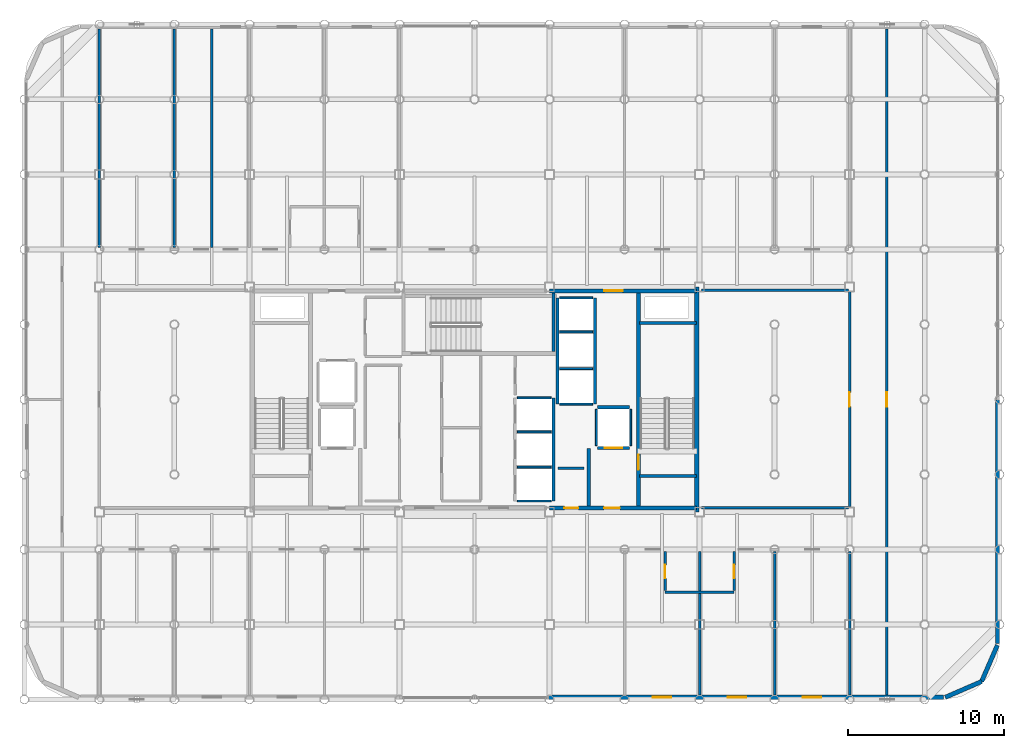
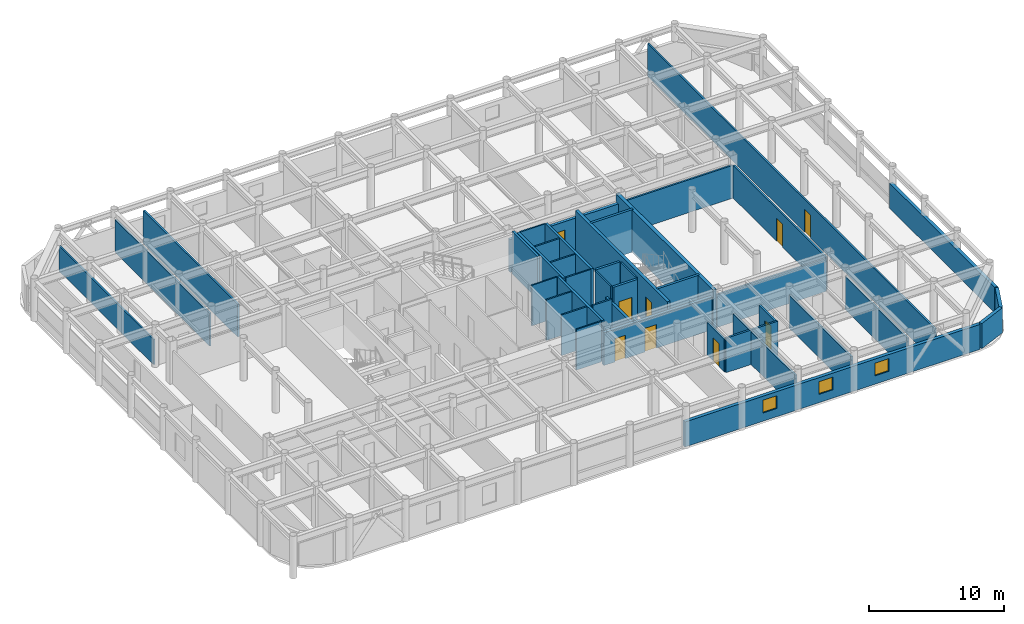
# One storey, part 20 of 22: 41 walls, 9 doors, 3 windows, 12 openings.
"""IFC4 building model written with IfcOpenShell, lengths in metres."""

from ifc_helpers import new_model, si_unit, direction, frame, frame_2d, origin, place, context, subcontext, project, spatial, rectangle, extrude, material, layer, layer_set, type_object, element, fill, save


model = new_model("IFC4")

# Units and contexts
model_context = context("Model", 3, precision=1e-05, world=origin(), true_north=direction((0.0, 1.0)))
body_context = subcontext(model_context, "Body", "Model", "MODEL_VIEW")
ifc_project = project(units=[si_unit("LENGTHUNIT", "METRE"), si_unit("AREAUNIT", "SQUARE_METRE"), si_unit("VOLUMEUNIT", "CUBIC_METRE"), si_unit("PLANEANGLEUNIT", "RADIAN"), si_unit("MASSUNIT", "GRAM", prefix="KILO")], contexts=[model_context])

# Site, building, storey
site_placement = place(None, origin())
site = spatial("IfcSite", under=ifc_project, at=site_placement, CompositionType="ELEMENT")
building_placement = place(site_placement, origin())
building = spatial("IfcBuilding", under=site, at=building_placement, Name="Kallvorn Hotel Tower", CompositionType="ELEMENT")
storey_placement = place(building_placement, frame((0.0, 0.0, 226.14990234375)))
storey = spatial("IfcBuildingStorey", under=building, at=storey_placement, Name="L56", CompositionType="ELEMENT", Elevation=226.14990234375)

# Walls
ifc_material_1 = material(Name="Concrete C50/60", Category="concrete")
ifc_layer_1 = layer(ifc_material_1, 0.300048828125)
ifc_layer_set_1 = layer_set([ifc_layer_1], Name="WL_CORE_300")
wall_type_1 = type_object("IfcWallType", Name="WL_CORE_300", PredefinedType="SHEAR", material=ifc_layer_set_1)
wall_1_placement = place(storey_placement, frame((14.215087890625, -7.199951171875, -0.179931640625), z_axis=(0.0, 0.0, 1.0), x_axis=(0.0, 1.0, 0.0)))
element("IfcWall", 1, at=wall_1_placement, inside=storey, type_object=wall_type_1, Name="L56 Core East Shear Wall", PredefinedType="SHEAR", context=body_context, shape_type="SweptSolid", body=[
    extrude(rectangle(XDim=14.39990234375, YDim=0.300048828125, at=frame_2d((7.199951171875, 0.0))), origin(), (0.0, 0.0, 1.0), 3.85009765625),
])
ifc_material_2 = material(Name="Fire-rated double-layer acoustic gypsum drywall EI 60")
ifc_layer_2 = layer(ifc_material_2, 0.159912109375)
ifc_layer_set_2 = layer_set([ifc_layer_2], Name="WL_DEMISE_160")
wall_type_2 = type_object("IfcWallType", Name="WL_DEMISE_160", PredefinedType="PARTITIONING", material=ifc_layer_set_2)
wall_2_placement = place(storey_placement, frame((12.18994140625, -12.320068359375, 0.0), z_axis=(0.0, 0.0, 1.0), x_axis=(1.0, 0.0, 0.0)))
element("IfcWall", 2, at=wall_2_placement, inside=storey, type_object=wall_type_2, Name="L56 Suite 5601 Superior Twin Room Partition", PredefinedType="PARTITIONING", context=body_context, shape_type="SweptSolid", body=[
    extrude(rectangle(XDim=4.420166015625, YDim=0.159912109375, at=frame_2d((2.2099609375, 0.0))), origin(), (0.0, 0.0, 1.0), 3.1201171875),
])

# Wall, opening, door
wall_3_placement = place(storey_placement, frame((12.18994140625, -12.235107421875, 0.0), z_axis=(0.0, 0.0, 1.0), x_axis=(0.0, 1.0, 0.0)))
wall_3 = element("IfcWall", 3, at=wall_3_placement, inside=storey, type_object=wall_type_2, Name="L56 Suite 5601 Superior Twin Room Partition", PredefinedType="PARTITIONING", context=body_context, shape_type="SweptSolid", body=[
    extrude(rectangle(XDim=2.51513671875, YDim=0.159912109375, at=frame_2d((1.257568359375, 0.0))), origin(), (0.0, 0.0, 1.0), 2.97021484375),
])
opening_1_placement = place(wall_3_placement, frame((0.784912109375, 0.0, 0.0)))
opening_1 = element("IfcOpeningElement", 4, at=opening_1_placement, cuts=wall_3, Name="Opening BD-I", PredefinedType="OPENING", context=body_context, shape_type="SweptSolid", body=[
    extrude(rectangle(XDim=0.860107421875, YDim=2.10009765625, at=frame_2d((0.43017578125, 1.050048828125))), frame((0.0, 0.094970703125, 0.0), z_axis=(0.0, -1.0, 0.0), x_axis=(1.0, 0.0, 0.0)), (0.0, 0.0, 1.0), 0.18994140625),
])
ifc_material_3 = material(Name="Solid-core walnut veneer fire-rated timber door leaf", Category="wood")
door_type_1 = type_object("IfcDoorType", Name="DR_BATH_860x2100", OperationType="NOTDEFINED", PredefinedType="DOOR", material=ifc_material_3)
door_1_placement = place(opening_1_placement, origin())
door_1 = element("IfcDoor", 5, at=door_1_placement, inside=storey, type_object=door_type_1, Name="L56 Suite 5601 En-Suite Bathroom Door", OperationType="SINGLE_SWING_RIGHT", OverallHeight=2.10009765625, OverallWidth=0.860107421875, PredefinedType="DOOR", context=body_context, shape_type="SweptSolid", body=[
    extrude(rectangle(XDim=0.860107421875, YDim=2.10009765625, at=frame_2d((0.43017578125, 1.050048828125))), frame((0.0, 0.02490234375, 0.0), z_axis=(0.0, -1.0, 0.0), x_axis=(1.0, 0.0, 0.0)), (0.0, 0.0, 1.0), 0.050048828125),
])
fill(opening_1, door_1)

# Wall
wall_4_placement = place(storey_placement, frame((14.39990234375, -18.909912109375, 0.0), z_axis=(0.0, 0.0, 1.0), x_axis=(0.0, 1.0, 0.0)))
element("IfcWall", 6, at=wall_4_placement, inside=storey, type_object=wall_type_2, Name="L56 Suite 5601 Superior Twin Room Partition", PredefinedType="PARTITIONING", context=body_context, shape_type="SweptSolid", body=[
    extrude(rectangle(XDim=9.18994140625, YDim=0.159912109375, at=frame_2d((4.594970703125, 0.0))), origin(), (0.0, 0.0, 1.0), 2.97021484375),
])

# Wall, opening, door
wall_5_placement = place(storey_placement, frame((16.610107421875, -12.235107421875, 0.0), z_axis=(0.0, 0.0, 1.0), x_axis=(0.0, 1.0, 0.0)))
wall_5 = element("IfcWall", 7, at=wall_5_placement, inside=storey, type_object=wall_type_2, Name="L56 Suite 5602 Superior Twin Room Partition", PredefinedType="PARTITIONING", context=body_context, shape_type="SweptSolid", body=[
    extrude(rectangle(XDim=2.51513671875, YDim=0.159912109375, at=frame_2d((1.257568359375, 0.0))), origin(), (0.0, 0.0, 1.0), 2.97021484375),
])
opening_2_placement = place(wall_5_placement, frame((0.784912109375, 0.0, 0.0)))
opening_2 = element("IfcOpeningElement", 8, at=opening_2_placement, cuts=wall_5, Name="Opening BD-I", PredefinedType="OPENING", context=body_context, shape_type="SweptSolid", body=[
    extrude(rectangle(XDim=0.860107421875, YDim=2.10009765625, at=frame_2d((0.43017578125, 1.050048828125))), frame((0.0, 0.094970703125, 0.0), z_axis=(0.0, -1.0, 0.0), x_axis=(1.0, 0.0, 0.0)), (0.0, 0.0, 1.0), 0.18994140625),
])
door_2_placement = place(opening_2_placement, origin())
door_2 = element("IfcDoor", 9, at=door_2_placement, inside=storey, type_object=door_type_1, Name="L56 Suite 5602 En-Suite Bathroom Door", OperationType="SINGLE_SWING_RIGHT", OverallHeight=2.10009765625, OverallWidth=0.860107421875, PredefinedType="DOOR", context=body_context, shape_type="SweptSolid", body=[
    extrude(rectangle(XDim=0.860107421875, YDim=2.10009765625, at=frame_2d((0.43017578125, 1.050048828125))), frame((0.0, 0.02490234375, 0.0), z_axis=(0.0, -1.0, 0.0), x_axis=(1.0, 0.0, 0.0)), (0.0, 0.0, 1.0), 0.050048828125),
])
fill(opening_2, door_2)

# Walls
wall_6_placement = place(storey_placement, frame((19.199951171875, -18.909912109375, 0.0), z_axis=(0.0, 0.0, 1.0), x_axis=(0.0, 1.0, 0.0)))
element("IfcWall", 10, at=wall_6_placement, inside=storey, type_object=wall_type_2, Name="L56 Suite 5602 Superior Twin Room Partition", PredefinedType="PARTITIONING", context=body_context, shape_type="SweptSolid", body=[
    extrude(rectangle(XDim=9.18994140625, YDim=0.159912109375, at=frame_2d((4.594970703125, 0.0))), origin(), (0.0, 0.0, 1.0), 2.97021484375),
])
ifc_material_4 = material(Name="Precast basalt-clad insulated concrete wall C40/50", Category="masonry")
ifc_layer_3 = layer(ifc_material_4, 0.280029296875)
ifc_layer_set_3 = layer_set([ifc_layer_3], Name="WL_EXT_LOGGIA_280")
wall_type_3 = type_object("IfcWallType", Name="WL_EXT_LOGGIA_280", PredefinedType="SOLIDWALL", material=ifc_layer_set_3)
wall_7_placement = place(storey_placement, frame((30.120849609375, -19.057861328125, 0.0), z_axis=(0.0, 0.0, 1.0), x_axis=(0.917060872934, 0.398747232384, 0.0)))
element("IfcWall", 11, at=wall_7_placement, inside=storey, type_object=wall_type_3, Name="L56 Rounded Corner Exterior Wall SE1", PredefinedType="SOLIDWALL", context=body_context, shape_type="SweptSolid", body=[
    extrude(rectangle(XDim=2.5361328125, YDim=0.280029296875, at=frame_2d((1.26806640625, 0.0))), origin(), (0.0, 0.0, 1.0), 2.27001953125),
])
wall_8_placement = place(storey_placement, frame((32.446533203125, -18.046630859375, 0.0), z_axis=(0.0, 0.0, 1.0), x_axis=(0.398792985289, 0.917040977756, 0.0)))
element("IfcWall", 12, at=wall_8_placement, inside=storey, type_object=wall_type_3, Name="L56 Rounded Corner Exterior Wall SE2", PredefinedType="SOLIDWALL", context=body_context, shape_type="SweptSolid", body=[
    extrude(rectangle(XDim=2.536376953125, YDim=0.280029296875, at=frame_2d((1.26806640625, 0.0))), origin(), (0.0, 0.0, 1.0), 2.27001953125),
])

# Wall, openings, windows
wall_9_placement = place(storey_placement, frame((4.75, -19.06005859375, 0.0), z_axis=(0.0, 0.0, 1.0), x_axis=(1.0, 0.0, 0.0)))
wall_9 = element("IfcWall", 13, at=wall_9_placement, inside=storey, type_object=wall_type_3, Name="L56 Exterior Envelope Wall EW-L56-SE", PredefinedType="SOLIDWALL", context=body_context, shape_type="SweptSolid", body=[
    extrude(rectangle(XDim=25.25, YDim=0.280029296875, at=frame_2d((12.625, 0.0))), origin(), (0.0, 0.0, 1.0), 2.27001953125),
])
opening_3_placement = place(wall_9_placement, frame((16.25, 0.0, 0.75)))
opening_3 = element("IfcOpeningElement", 14, at=opening_3_placement, cuts=wall_9, Name="Opening W06A", PredefinedType="OPENING", context=body_context, shape_type="SweptSolid", body=[
    extrude(rectangle(XDim=1.199951171875, YDim=1.14990234375, at=frame_2d((0.60009765625, 0.574951171875))), frame((0.0, 0.155029296875, 0.0), z_axis=(0.0, -1.0, 0.0), x_axis=(1.0, 0.0, 0.0)), (0.0, 0.0, 1.0), 0.31005859375),
])
opening_4_placement = place(wall_9_placement, frame((6.64990234375, 0.0, 0.75)))
opening_4 = element("IfcOpeningElement", 15, at=opening_4_placement, cuts=wall_9, Name="Opening W06A", PredefinedType="OPENING", context=body_context, shape_type="SweptSolid", body=[
    extrude(rectangle(XDim=1.199951171875, YDim=1.14990234375, at=frame_2d((0.60009765625, 0.574951171875))), frame((0.0, 0.155029296875, 0.0), z_axis=(0.0, -1.0, 0.0), x_axis=(1.0, 0.0, 0.0)), (0.0, 0.0, 1.0), 0.31005859375),
])
opening_5_placement = place(wall_9_placement, frame((11.449951171875, 0.0, 0.75)))
opening_5 = element("IfcOpeningElement", 16, at=opening_5_placement, cuts=wall_9, Name="Opening W06A", PredefinedType="OPENING", context=body_context, shape_type="SweptSolid", body=[
    extrude(rectangle(XDim=1.199951171875, YDim=1.14990234375, at=frame_2d((0.60009765625, 0.574951171875))), frame((0.0, 0.155029296875, 0.0), z_axis=(0.0, -1.0, 0.0), x_axis=(1.0, 0.0, 0.0)), (0.0, 0.0, 1.0), 0.31005859375),
])
ifc_material_5 = material(Name="Triple-glazed low-e acoustic solar-control dark glass", Category="glass")
window_type = type_object("IfcWindowType", Name="WN_HTL_1200x1150", PartitioningType="SINGLE_PANEL", PredefinedType="WINDOW", material=ifc_material_5)
window_1_placement = place(opening_3_placement, origin())
window_1 = element("IfcWindow", 17, at=window_1_placement, inside=storey, type_object=window_type, Name="L56 Guestroom Exterior Window 01", OverallHeight=1.14990234375, OverallWidth=1.199951171875, PartitioningType="SINGLE_PANEL", PredefinedType="WINDOW", context=body_context, shape_type="SweptSolid", body=[
    extrude(rectangle(XDim=1.199951171875, YDim=1.14990234375, at=frame_2d((0.60009765625, 0.574951171875))), frame((0.0, 0.030029296875, 0.0), z_axis=(0.0, -1.0, 0.0), x_axis=(1.0, 0.0, 0.0)), (0.0, 0.0, 1.0), 0.06005859375),
])
fill(opening_3, window_1)
window_2_placement = place(opening_4_placement, origin())
window_2 = element("IfcWindow", 18, at=window_2_placement, inside=storey, type_object=window_type, Name="L56 Guestroom Exterior Window 06", OverallHeight=1.14990234375, OverallWidth=1.199951171875, PartitioningType="SINGLE_PANEL", PredefinedType="WINDOW", context=body_context, shape_type="SweptSolid", body=[
    extrude(rectangle(XDim=1.199951171875, YDim=1.14990234375, at=frame_2d((0.60009765625, 0.574951171875))), frame((0.0, 0.030029296875, 0.0), z_axis=(0.0, -1.0, 0.0), x_axis=(1.0, 0.0, 0.0)), (0.0, 0.0, 1.0), 0.06005859375),
])
fill(opening_4, window_2)
window_3_placement = place(opening_5_placement, origin())
window_3 = element("IfcWindow", 19, at=window_3_placement, inside=storey, type_object=window_type, Name="L56 Guestroom Exterior Window 07", OverallHeight=1.14990234375, OverallWidth=1.199951171875, PartitioningType="SINGLE_PANEL", PredefinedType="WINDOW", context=body_context, shape_type="SweptSolid", body=[
    extrude(rectangle(XDim=1.199951171875, YDim=1.14990234375, at=frame_2d((0.60009765625, 0.574951171875))), frame((0.0, 0.030029296875, 0.0), z_axis=(0.0, -1.0, 0.0), x_axis=(1.0, 0.0, 0.0)), (0.0, 0.0, 1.0), 0.06005859375),
])
fill(opening_5, window_3)

# Walls
wall_10_placement = place(storey_placement, frame((33.4599609375, -15.60009765625, 0.0), z_axis=(0.0, 0.0, 1.0), x_axis=(0.0, 1.0, 0.0)))
element("IfcWall", 20, at=wall_10_placement, inside=storey, type_object=wall_type_3, Name="L56 Exterior Envelope Wall EW-L56-ES", PredefinedType="SOLIDWALL", context=body_context, shape_type="SweptSolid", body=[
    extrude(rectangle(XDim=15.580078125, YDim=0.280029296875, at=frame_2d((7.7900390625, 0.0))), origin(), (0.0, 0.0, 1.0), 2.27001953125),
])
ifc_material_6 = material(Name="Concrete C40/50", Category="concrete")
ifc_layer_4 = layer(ifc_material_6, 0.219970703125)
ifc_layer_set_4 = layer_set([ifc_layer_4], Name="WL_FFL_220")
wall_type_4 = type_object("IfcWallType", Name="WL_FFL_220", PredefinedType="SOLIDWALL", material=ifc_layer_set_4)
wall_11_placement = place(storey_placement, frame((7.300048828125, -6.820068359375, 0.0), z_axis=(0.0, 0.0, 1.0), x_axis=(0.0, 1.0, 0.0)))
element("IfcWall", 21, at=wall_11_placement, inside=storey, type_object=wall_type_4, Name="L56 Firefighting Lobby East Divider Wall", PredefinedType="SOLIDWALL", context=body_context, shape_type="SweptSolid", body=[
    extrude(rectangle(XDim=3.670166015625, YDim=0.219970703125, at=frame_2d((1.8349609375, 0.0))), origin(), (0.0, 0.0, 1.0), 2.97021484375),
])
ifc_material_7 = material(Name="Concrete C40/50", Category="concrete")
ifc_layer_5 = layer(ifc_material_7, 0.199951171875)
ifc_layer_set_5 = layer_set([ifc_layer_5], Name="WL_HOIST_200")
wall_type_5 = type_object("IfcWallType", Name="WL_HOIST_200", PredefinedType="SOLIDWALL", material=ifc_layer_set_5)
for number, where, z_axis, x_axis, name in (
    (22, (10.550048828125, -4.89990234375, -0.179931640625), (0.0, 0.0, 1.0), (1.0, 0.0, 0.0), "L56 Stair ST2 South Wall"),
    (23, (10.550048828125, 4.89990234375, -0.179931640625), (0.0, 0.0, 1.0), (1.0, 0.0, 0.0), "L56 Stair ST2 North Wall"),
):
    element("IfcWall", number, at=place(storey_placement, frame(where, z_axis=z_axis, x_axis=x_axis)), inside=storey, type_object=wall_type_5, Name=name, PredefinedType="SOLIDWALL", context=body_context, shape_type="SweptSolid", body=[
        extrude(rectangle(XDim=3.64990234375, YDim=0.199951171875, at=frame_2d((1.824951171875, 0.0))), origin(), (0.0, 0.0, 1.0), 3.85009765625),
    ])
wall_12_placement = place(storey_placement, frame((5.06005859375, 3.080078125, -0.179931640625), z_axis=(0.0, 0.0, 1.0), x_axis=(0.0, 1.0, 0.0)))
element("IfcWall", 24, at=wall_12_placement, inside=storey, type_object=wall_type_5, Name="L56 Stair ST3 East Wall", PredefinedType="SOLIDWALL", context=body_context, shape_type="SweptSolid", body=[
    extrude(rectangle(XDim=3.739990234375, YDim=0.199951171875, at=frame_2d((1.8701171875, 0.0))), origin(), (0.0, 0.0, 1.0), 3.85009765625),
])
wall_13_placement = place(storey_placement, frame((5.050048828125, -6.5, 0.0), z_axis=(0.0, 0.0, 1.0), x_axis=(0.0, 1.0, 0.0)))
element("IfcWall", 25, at=wall_13_placement, inside=storey, type_object=wall_type_5, Name="L56 Lift Bank B3A Rear Shaft Wall", PredefinedType="SOLIDWALL", context=body_context, shape_type="SweptSolid", body=[
    extrude(rectangle(XDim=6.60009765625, YDim=0.199951171875, at=frame_2d((3.300048828125, 0.0))), origin(), (0.0, 0.0, 1.0), 3.670166015625),
])
for number, where, z_axis, x_axis, name in (
    (26, (7.699951171875, -0.300048828125, 0.0), (0.0, 0.0, 1.0), (0.0, 1.0, 0.0), "L56 Lift Bank OBS Landing Wall"),
    (27, (5.300048828125, -0.300048828125, 0.0), (0.0, 0.0, 1.0), (0.0, 1.0, 0.0), "L56 Lift Bank OBS Rear Shaft Wall"),
):
    element("IfcWall", number, at=place(storey_placement, frame(where, z_axis=z_axis, x_axis=x_axis)), inside=storey, type_object=wall_type_5, Name=name, PredefinedType="SOLIDWALL", context=body_context, shape_type="SweptSolid", body=[
        extrude(rectangle(XDim=6.800048828125, YDim=0.199951171875, at=frame_2d((3.39990234375, 0.0))), origin(), (0.0, 0.0, 1.0), 3.670166015625),
    ])

# Wall, opening, door
wall_14_placement = place(storey_placement, frame((7.8798828125, -3.10009765625, 0.0), z_axis=(0.0, 0.0, 1.0), x_axis=(1.0, 0.0, 0.0)))
wall_14 = element("IfcWall", 28, at=wall_14_placement, inside=storey, type_object=wall_type_5, Name="L56 FL-2 Landing Wall", PredefinedType="SOLIDWALL", context=body_context, shape_type="SweptSolid", body=[
    extrude(rectangle(XDim=2.0400390625, YDim=0.199951171875, at=frame_2d((1.02001953125, 0.0))), origin(), (0.0, 0.0, 1.0), 3.670166015625),
])
opening_6_placement = place(wall_14_placement, frame((0.469970703125, 0.0, 0.0)))
opening_6 = element("IfcOpeningElement", 29, at=opening_6_placement, cuts=wall_14, Name="Opening LD-FL-2", PredefinedType="OPENING", context=body_context, shape_type="SweptSolid", body=[
    extrude(rectangle(XDim=1.10009765625, YDim=2.199951171875, at=frame_2d((0.550048828125, 1.10009765625))), frame((0.0, 0.114990234375, 0.0), z_axis=(0.0, -1.0, 0.0), x_axis=(1.0, 0.0, 0.0)), (0.0, 0.0, 1.0), 0.22998046875),
])
ifc_material_8 = material(Name="Brushed stainless-steel automatic sliding lift landing door", Category="steel")
door_type_2 = type_object("IfcDoorType", Name="LD_PASS_1100x2200", OperationType="SLIDING_TO_LEFT", PredefinedType="DOOR", material=ifc_material_8)
door_3_placement = place(opening_6_placement, origin())
door_3 = element("IfcDoor", 30, at=door_3_placement, inside=storey, type_object=door_type_2, Name="L56 Lift Landing Sliding Door LD-FL-2", OperationType="SLIDING_TO_LEFT", OverallHeight=2.199951171875, OverallWidth=1.10009765625, PredefinedType="DOOR", context=body_context, shape_type="SweptSolid", body=[
    extrude(rectangle(XDim=1.10009765625, YDim=2.199951171875, at=frame_2d((0.550048828125, 1.10009765625))), frame((0.0, 0.02490234375, 0.0), z_axis=(0.0, -1.0, 0.0), x_axis=(1.0, 0.0, 0.0)), (0.0, 0.0, 1.0), 0.050048828125),
])
fill(opening_6, door_3)

# Walls
wall_15_placement = place(storey_placement, frame((7.8798828125, -0.5, 0.0), z_axis=(0.0, 0.0, 1.0), x_axis=(1.0, 0.0, 0.0)))
element("IfcWall", 31, at=wall_15_placement, inside=storey, type_object=wall_type_5, Name="L56 FL-2 Rear Shaft Wall", PredefinedType="SOLIDWALL", context=body_context, shape_type="SweptSolid", body=[
    extrude(rectangle(XDim=2.0400390625, YDim=0.199951171875, at=frame_2d((1.02001953125, 0.0))), origin(), (0.0, 0.0, 1.0), 3.670166015625),
])
ifc_material_9 = material(Name="Fire-rated double-layer acoustic gypsum drywall EI 60")
ifc_layer_6 = layer(ifc_material_9, 0.1201171875)
ifc_layer_set_6 = layer_set([ifc_layer_6], Name="WL_INT_120")
wall_type_6 = type_object("IfcWallType", Name="WL_INT_120", PredefinedType="PARTITIONING", material=ifc_layer_set_6)
for number, where, z_axis, x_axis, name in (
    (32, (2.739990234375, -6.5, 0.0), (0.0, 0.0, 1.0), (1.0, 0.0, 0.0), "L56 Lift Bank B3A South Closure Wall"),
    (33, (2.739990234375, -4.324951171875, 0.0), (0.0, 0.0, 1.0), (1.0, 0.0, 0.0), "L56 PL-09 Hoistway Divider"),
    (34, (2.739990234375, -2.074951171875, 0.0), (0.0, 0.0, 1.0), (1.0, 0.0, 0.0), "L56 PL-10 Hoistway Divider"),
    (35, (2.739990234375, 0.10009765625, 0.0), (0.0, 0.0, 1.0), (1.0, 0.0, 0.0), "L56 PL-11 Hoistway Divider"),
):
    element("IfcWall", number, at=place(storey_placement, frame(where, z_axis=z_axis, x_axis=x_axis)), inside=storey, type_object=wall_type_6, Name=name, PredefinedType="PARTITIONING", context=body_context, shape_type="SweptSolid", body=[
        extrude(rectangle(XDim=2.169921875, YDim=0.1201171875, at=frame_2d((1.0849609375, 0.0))), origin(), (0.0, 0.0, 1.0), 3.670166015625),
    ])
for number, where, z_axis, x_axis, name in (
    (36, (5.43994140625, -0.300048828125, 0.0), (0.0, 0.0, 1.0), (1.0, 0.0, 0.0), "L56 Lift Bank OBS South Closure Wall"),
    (37, (5.43994140625, 1.97509765625, 0.0), (0.0, 0.0, 1.0), (1.0, 0.0, 0.0), "L56 OB-01 Hoistway Divider"),
    (38, (5.43994140625, 4.324951171875, 0.0), (0.0, 0.0, 1.0), (1.0, 0.0, 0.0), "L56 OB-02 Hoistway Divider"),
    (39, (5.43994140625, 6.5, 0.0), (0.0, 0.0, 1.0), (1.0, 0.0, 0.0), "L56 OB-03 Hoistway Divider"),
):
    element("IfcWall", number, at=place(storey_placement, frame(where, z_axis=z_axis, x_axis=x_axis)), inside=storey, type_object=wall_type_6, Name=name, PredefinedType="PARTITIONING", context=body_context, shape_type="SweptSolid", body=[
        extrude(rectangle(XDim=2.1201171875, YDim=0.1201171875, at=frame_2d((1.06005859375, 0.0))), origin(), (0.0, 0.0, 1.0), 3.670166015625),
    ])
for number, where, z_axis, x_axis, name in (
    (40, (7.800048828125, -2.9599609375, 0.0), (0.0, 0.0, 1.0), (0.0, 1.0, 0.0), "L56 FL-2 West Shaft Wall"),
    (41, (10.0, -2.9599609375, 0.0), (0.0, 0.0, 1.0), (0.0, 1.0, 0.0), "L56 FL-2 East Shaft Wall"),
):
    element("IfcWall", number, at=place(storey_placement, frame(where, z_axis=z_axis, x_axis=x_axis)), inside=storey, type_object=wall_type_6, Name=name, PredefinedType="PARTITIONING", context=body_context, shape_type="SweptSolid", body=[
        extrude(rectangle(XDim=2.320068359375, YDim=0.1201171875, at=frame_2d((1.16015625, 0.0))), origin(), (0.0, 0.0, 1.0), 3.670166015625),
    ])
ifc_material_10 = material(Name="Fire-rated double-layer acoustic gypsum drywall EI 60")
ifc_layer_7 = layer(ifc_material_10, 0.14990234375)
ifc_layer_set_7 = layer_set([ifc_layer_7], Name="WL_PART_150")
wall_type_7 = type_object("IfcWallType", Name="WL_PART_150", PredefinedType="PARTITIONING", material=ifc_layer_set_7)
for number, where, z_axis, x_axis, name in (
    (42, (14.52001953125, -6.919921875, 0.0), (0.0, 0.0, 1.0), (1.0, 0.0, 0.0), "L56 L56 High-Zone Inner East Club Gallery Partition"),
    (43, (14.52001953125, 6.97998046875, 0.0), (0.0, 0.0, 1.0), (1.0, 0.0, 0.0), "L56 L56 High-Zone Inner East Club Gallery Partition"),
):
    element("IfcWall", number, at=place(storey_placement, frame(where, z_axis=z_axis, x_axis=x_axis)), inside=storey, type_object=wall_type_7, Name=name, PredefinedType="PARTITIONING", context=body_context, shape_type="SweptSolid", body=[
        extrude(rectangle(XDim=9.39990234375, YDim=0.14990234375, at=frame_2d((4.699951171875, 0.0))), origin(), (0.0, 0.0, 1.0), 2.97021484375),
    ])
wall_16_placement = place(storey_placement, frame((-24.0, 9.719970703125, 0.0), z_axis=(0.0, 0.0, 1.0), x_axis=(0.0, 1.0, 0.0)))
element("IfcWall", 44, at=wall_16_placement, inside=storey, type_object=wall_type_7, Name="L56 L56 High-Zone North-West Reading Salon Partition", PredefinedType="PARTITIONING", context=body_context, shape_type="SweptSolid", body=[
    extrude(rectangle(XDim=13.989990234375, YDim=0.14990234375, at=frame_2d((6.9951171875, 0.0))), origin(), (0.0, 0.0, 1.0), 2.27001953125),
])
for number, where, z_axis, x_axis, name in (
    (45, (-19.199951171875, 9.719970703125, 0.0), (0.0, 0.0, 1.0), (0.0, 1.0, 0.0), "L56 Housekeeping and Linen Room Partition"),
    (46, (-16.800048828125, 9.719970703125, 0.0), (0.0, 0.0, 1.0), (0.0, 1.0, 0.0), "L56 Guest Tea and Refreshment Bar Partition"),
):
    element("IfcWall", number, at=place(storey_placement, frame(where, z_axis=z_axis, x_axis=x_axis)), inside=storey, type_object=wall_type_7, Name=name, PredefinedType="PARTITIONING", context=body_context, shape_type="SweptSolid", body=[
        extrude(rectangle(XDim=13.989990234375, YDim=0.14990234375, at=frame_2d((6.9951171875, 0.0))), origin(), (0.0, 0.0, 1.0), 2.97021484375),
    ])
wall_17_placement = place(storey_placement, frame((24.0, -18.909912109375, 0.0), z_axis=(0.0, 0.0, 1.0), x_axis=(0.0, 1.0, 0.0)))
element("IfcWall", 47, at=wall_17_placement, inside=storey, type_object=wall_type_7, Name="L56 L56 High-Zone South-East Wine Bar Partition", PredefinedType="PARTITIONING", context=body_context, shape_type="SweptSolid", body=[
    extrude(rectangle(XDim=9.18994140625, YDim=0.14990234375, at=frame_2d((4.594970703125, 0.0))), origin(), (0.0, 0.0, 1.0), 2.97021484375),
])

# Wall, opening, door
wall_18_placement = place(storey_placement, frame((24.0, -6.8349609375, 0.0), z_axis=(0.0, 0.0, 1.0), x_axis=(0.0, 1.0, 0.0)))
wall_18 = element("IfcWall", 48, at=wall_18_placement, inside=storey, type_object=wall_type_7, Name="L56 L56 High-Zone Inner East Club Gallery Partition", PredefinedType="PARTITIONING", context=body_context, shape_type="SweptSolid", body=[
    extrude(rectangle(XDim=13.72998046875, YDim=0.14990234375, at=frame_2d((6.864990234375, 0.0))), origin(), (0.0, 0.0, 1.0), 2.97021484375),
])
opening_7_placement = place(wall_18_placement, frame((6.385009765625, 0.0, 0.0)))
opening_7 = element("IfcOpeningElement", 49, at=opening_7_placement, cuts=wall_18, Name="Opening SVD1", PredefinedType="OPENING", context=body_context, shape_type="SweptSolid", body=[
    extrude(rectangle(XDim=0.89990234375, YDim=2.10009765625, at=frame_2d((0.449951171875, 1.050048828125))), frame((0.0, 0.08984375, 0.0), z_axis=(0.0, -1.0, 0.0), x_axis=(1.0, 0.0, 0.0)), (0.0, 0.0, 1.0), 0.179931640625),
])
ifc_material_11 = material(Name="Galvanised painted steel fire-rated door assembly", Category="steel")
door_type_3 = type_object("IfcDoorType", Name="DR_SERV_900x2100", OperationType="NOTDEFINED", PredefinedType="DOOR", material=ifc_material_11)
door_4_placement = place(opening_7_placement, origin())
door_4 = element("IfcDoor", 50, at=door_4_placement, inside=storey, type_object=door_type_3, Name="L56 L56 High-Zone Inner East Club Gallery Door", OperationType="SINGLE_SWING_RIGHT", OverallHeight=2.10009765625, OverallWidth=0.89990234375, PredefinedType="DOOR", context=body_context, shape_type="SweptSolid", body=[
    extrude(rectangle(XDim=0.89990234375, YDim=2.10009765625, at=frame_2d((0.449951171875, 1.050048828125))), frame((0.0, 0.02490234375, 0.0), z_axis=(0.0, -1.0, 0.0), x_axis=(1.0, 0.0, 0.0)), (0.0, 0.0, 1.0), 0.050048828125),
])
fill(opening_7, door_4)

wall_19_placement = place(storey_placement, frame((26.3798828125, -18.909912109375, 0.0), z_axis=(0.0, 0.0, 1.0), x_axis=(0.0, 1.0, 0.0)))
wall_19 = element("IfcWall", 51, at=wall_19_placement, inside=storey, type_object=wall_type_7, Name="L56 L56 Outer East Sky Observatory Salon Partition", PredefinedType="PARTITIONING", context=body_context, shape_type="SweptSolid", body=[
    extrude(rectangle(XDim=42.619873046875, YDim=0.14990234375, at=frame_2d((21.31005859375, 0.0))), origin(), (0.0, 0.0, 1.0), 2.97021484375),
])
opening_8_placement = place(wall_19_placement, frame((18.4599609375, 0.0, 0.0)))
opening_8 = element("IfcOpeningElement", 52, at=opening_8_placement, cuts=wall_19, Name="Opening SVD1", PredefinedType="OPENING", context=body_context, shape_type="SweptSolid", body=[
    extrude(rectangle(XDim=0.89990234375, YDim=2.10009765625, at=frame_2d((0.449951171875, 1.050048828125))), frame((0.0, 0.08984375, 0.0), z_axis=(0.0, -1.0, 0.0), x_axis=(1.0, 0.0, 0.0)), (0.0, 0.0, 1.0), 0.179931640625),
])
door_5_placement = place(opening_8_placement, origin())
door_5 = element("IfcDoor", 53, at=door_5_placement, inside=storey, type_object=door_type_3, Name="L56 L56 Outer East Sky Observatory Salon Door", OperationType="SINGLE_SWING_RIGHT", OverallHeight=2.10009765625, OverallWidth=0.89990234375, PredefinedType="DOOR", context=body_context, shape_type="SweptSolid", body=[
    extrude(rectangle(XDim=0.89990234375, YDim=2.10009765625, at=frame_2d((0.449951171875, 1.050048828125))), frame((0.0, 0.02490234375, 0.0), z_axis=(0.0, -1.0, 0.0), x_axis=(1.0, 0.0, 0.0)), (0.0, 0.0, 1.0), 0.050048828125),
])
fill(opening_8, door_5)

# Wall
ifc_material_12 = material(Name="Moisture-resistant acoustic plumbing chase wall EI 60")
ifc_layer_8 = layer(ifc_material_12, 0.139892578125)
ifc_layer_set_8 = layer_set([ifc_layer_8], Name="WL_PLUMB_140")
wall_type_8 = type_object("IfcWallType", Name="WL_PLUMB_140", PredefinedType="PLUMBINGWALL", material=ifc_layer_set_8)
wall_20_placement = place(storey_placement, frame((5.35009765625, -4.39990234375, 0.0), z_axis=(0.0, 0.0, 1.0), x_axis=(1.0, 0.0, 0.0)))
element("IfcWall", 54, at=wall_20_placement, inside=storey, type_object=wall_type_8, Name="L56 Core Staff Restroom WC Partition", PredefinedType="PLUMBINGWALL", context=body_context, shape_type="SweptSolid", body=[
    extrude(rectangle(XDim=1.64990234375, YDim=0.139892578125, at=frame_2d((0.824951171875, 0.0))), origin(), (0.0, 0.0, 1.0), 3.670166015625),
])

# Wall, openings, doors
ifc_material_13 = material(Name="Concrete C40/50", Category="concrete")
ifc_layer_9 = layer(ifc_material_13, 0.25)
ifc_layer_set_9 = layer_set([ifc_layer_9], Name="WL_SHAFT_250")
wall_type_9 = type_object("IfcWallType", Name="WL_SHAFT_250", PredefinedType="SOLIDWALL", material=ifc_layer_set_9)
wall_21_placement = place(storey_placement, frame((4.800048828125, -6.949951171875, 0.0), z_axis=(0.0, 0.0, 1.0), x_axis=(1.0, 0.0, 0.0)))
wall_21 = element("IfcWall", 55, at=wall_21_placement, inside=storey, type_object=wall_type_9, Name="L56 Core South-East Wall", PredefinedType="SOLIDWALL", context=body_context, shape_type="SweptSolid", body=[
    extrude(rectangle(XDim=9.39990234375, YDim=0.25, at=frame_2d((4.699951171875, 0.0))), origin(), (0.0, 0.0, 1.0), 2.97021484375),
])
opening_9_placement = place(wall_21_placement, frame((3.5, 0.0, 0.0)))
opening_9 = element("IfcOpeningElement", 56, at=opening_9_placement, cuts=wall_21, Name="Opening FD1", PredefinedType="OPENING", context=body_context, shape_type="SweptSolid", body=[
    extrude(rectangle(XDim=1.0, YDim=2.14990234375, at=frame_2d((0.5, 1.074951171875))), frame((0.0, 0.139892578125, 0.0), z_axis=(0.0, -1.0, 0.0), x_axis=(1.0, 0.0, 0.0)), (0.0, 0.0, 1.0), 0.280029296875),
])
opening_10_placement = place(wall_21_placement, frame((0.949951171875, 0.0, 0.0)))
opening_10 = element("IfcOpeningElement", 57, at=opening_10_placement, cuts=wall_21, Name="Opening SVD1", PredefinedType="OPENING", context=body_context, shape_type="SweptSolid", body=[
    extrude(rectangle(XDim=0.89990234375, YDim=2.10009765625, at=frame_2d((0.449951171875, 1.050048828125))), frame((0.0, 0.139892578125, 0.0), z_axis=(0.0, -1.0, 0.0), x_axis=(1.0, 0.0, 0.0)), (0.0, 0.0, 1.0), 0.280029296875),
])
ifc_material_14 = material(Name="Galvanised painted steel fire-rated door assembly", Category="steel")
door_type_4 = type_object("IfcDoorType", Name="DR_FFL_1000x2150", OperationType="NOTDEFINED", PredefinedType="DOOR", material=ifc_material_14)
door_6_placement = place(opening_9_placement, origin())
door_6 = element("IfcDoor", 58, at=door_6_placement, inside=storey, type_object=door_type_4, Name="L56 Firefighting Lobby East Door", OperationType="SINGLE_SWING_RIGHT", OverallHeight=2.14990234375, OverallWidth=1.0, PredefinedType="DOOR", context=body_context, shape_type="SweptSolid", body=[
    extrude(rectangle(XDim=1.0, YDim=2.14990234375, at=frame_2d((0.5, 1.074951171875))), frame((0.0, 0.02490234375, 0.0), z_axis=(0.0, -1.0, 0.0), x_axis=(1.0, 0.0, 0.0)), (0.0, 0.0, 1.0), 0.050048828125),
])
fill(opening_9, door_6)
door_7_placement = place(opening_10_placement, origin())
door_7 = element("IfcDoor", 59, at=door_7_placement, inside=storey, type_object=door_type_3, Name="L56 Core Staff Restroom WC Door", OperationType="SINGLE_SWING_RIGHT", OverallHeight=2.10009765625, OverallWidth=0.89990234375, PredefinedType="DOOR", context=body_context, shape_type="SweptSolid", body=[
    extrude(rectangle(XDim=0.89990234375, YDim=2.10009765625, at=frame_2d((0.449951171875, 1.050048828125))), frame((0.0, 0.02490234375, 0.0), z_axis=(0.0, -1.0, 0.0), x_axis=(1.0, 0.0, 0.0)), (0.0, 0.0, 1.0), 0.050048828125),
])
fill(opening_10, door_7)

# Wall, opening, door
wall_22_placement = place(storey_placement, frame((4.800048828125, 6.949951171875, 0.0), z_axis=(0.0, 0.0, 1.0), x_axis=(1.0, 0.0, 0.0)))
wall_22 = element("IfcWall", 60, at=wall_22_placement, inside=storey, type_object=wall_type_9, Name="L56 Core North-East Wall", PredefinedType="SOLIDWALL", context=body_context, shape_type="SweptSolid", body=[
    extrude(rectangle(XDim=9.39990234375, YDim=0.25, at=frame_2d((4.699951171875, 0.0))), origin(), (0.0, 0.0, 1.0), 2.97021484375),
])
opening_11_placement = place(wall_22_placement, frame((3.5, 0.0, 0.0)))
opening_11 = element("IfcOpeningElement", 61, at=opening_11_placement, cuts=wall_22, Name="Opening FD2", PredefinedType="OPENING", context=body_context, shape_type="SweptSolid", body=[
    extrude(rectangle(XDim=1.199951171875, YDim=2.199951171875, at=frame_2d((0.60009765625, 1.10009765625))), frame((0.0, 0.139892578125, 0.0), z_axis=(0.0, -1.0, 0.0), x_axis=(1.0, 0.0, 0.0)), (0.0, 0.0, 1.0), 0.280029296875),
])
ifc_material_15 = material(Name="Galvanised painted steel fire-rated door assembly", Category="steel")
door_type_5 = type_object("IfcDoorType", Name="DR_LOBBY_1200x2200", OperationType="DOUBLE_DOOR_SINGLE_SWING", PredefinedType="DOOR", material=ifc_material_15)
door_8_placement = place(opening_11_placement, origin())
door_8 = element("IfcDoor", 62, at=door_8_placement, inside=storey, type_object=door_type_5, Name="L56 Observatory Shuttle Lobby Door", OperationType="DOUBLE_DOOR_SINGLE_SWING", OverallHeight=2.199951171875, OverallWidth=1.199951171875, PredefinedType="DOOR", context=body_context, shape_type="SweptSolid", body=[
    extrude(rectangle(XDim=1.199951171875, YDim=2.199951171875, at=frame_2d((0.60009765625, 1.10009765625))), frame((0.0, 0.02490234375, 0.0), z_axis=(0.0, -1.0, 0.0), x_axis=(1.0, 0.0, 0.0)), (0.0, 0.0, 1.0), 0.050048828125),
])
fill(opening_11, door_8)

wall_23_placement = place(storey_placement, frame((10.5, -6.820068359375, -0.179931640625), z_axis=(0.0, 0.0, 1.0), x_axis=(0.0, 1.0, 0.0)))
wall_23 = element("IfcWall", 63, at=wall_23_placement, inside=storey, type_object=wall_type_9, Name="L56 Stair ST2 Shaft Wall", PredefinedType="SOLIDWALL", context=body_context, shape_type="SweptSolid", body=[
    extrude(rectangle(XDim=13.64013671875, YDim=0.25, at=frame_2d((6.820068359375, 0.0))), origin(), (0.0, 0.0, 1.0), 3.85009765625),
])
opening_12_placement = place(wall_23_placement, frame((2.320068359375, 0.0, 0.179931640625)))
opening_12 = element("IfcOpeningElement", 64, at=opening_12_placement, cuts=wall_23, Name="Opening SD1", PredefinedType="OPENING", context=body_context, shape_type="SweptSolid", body=[
    extrude(rectangle(XDim=0.949951171875, YDim=2.14990234375, at=frame_2d((0.47509765625, 1.074951171875))), frame((0.0, 0.139892578125, 0.0), z_axis=(0.0, -1.0, 0.0), x_axis=(1.0, 0.0, 0.0)), (0.0, 0.0, 1.0), 0.280029296875),
])
ifc_material_16 = material(Name="Galvanised painted steel fire-rated door assembly", Category="steel")
door_type_6 = type_object("IfcDoorType", Name="DR_STAIR_950x2150", OperationType="NOTDEFINED", PredefinedType="DOOR", material=ifc_material_16)
door_9_placement = place(opening_12_placement, origin())
door_9 = element("IfcDoor", 65, at=door_9_placement, inside=storey, type_object=door_type_6, Name="L56 Exit Stair ST2 Fire Door", OperationType="SINGLE_SWING_LEFT", OverallHeight=2.14990234375, OverallWidth=0.949951171875, PredefinedType="DOOR", context=body_context, shape_type="SweptSolid", body=[
    extrude(rectangle(XDim=0.949951171875, YDim=2.14990234375, at=frame_2d((0.47509765625, 1.074951171875))), frame((0.0, 0.02490234375, 0.0), z_axis=(0.0, -1.0, 0.0), x_axis=(1.0, 0.0, 0.0)), (0.0, 0.0, 1.0), 0.050048828125),
])
fill(opening_12, door_9)

save(model, "model.ifc")
